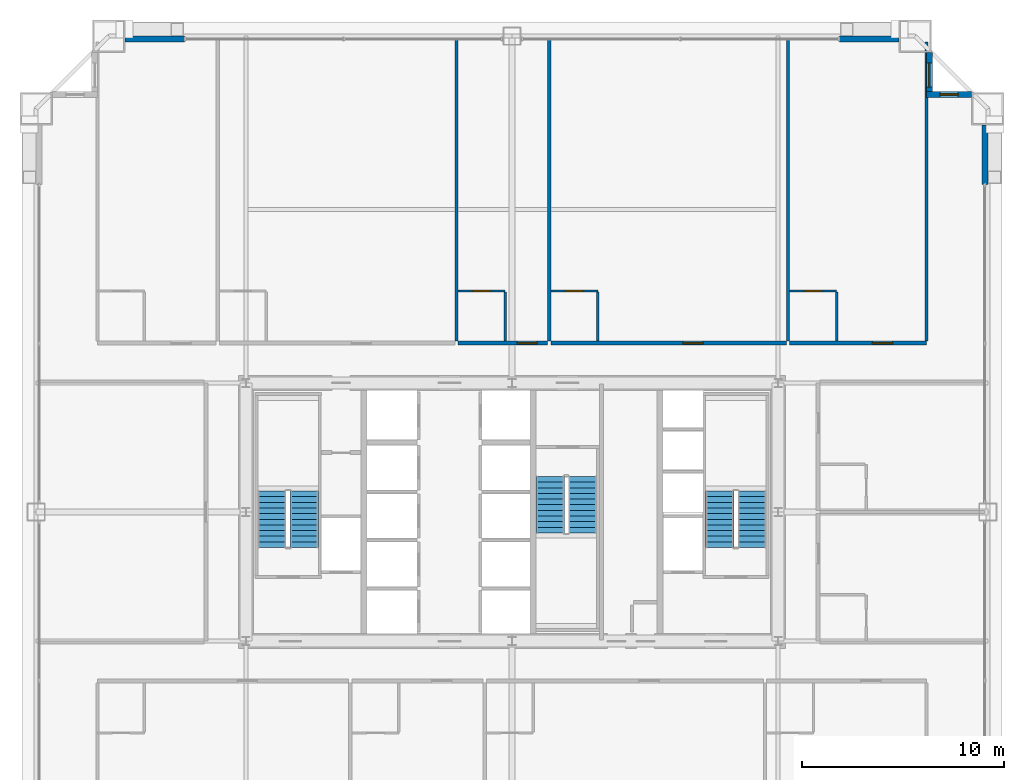
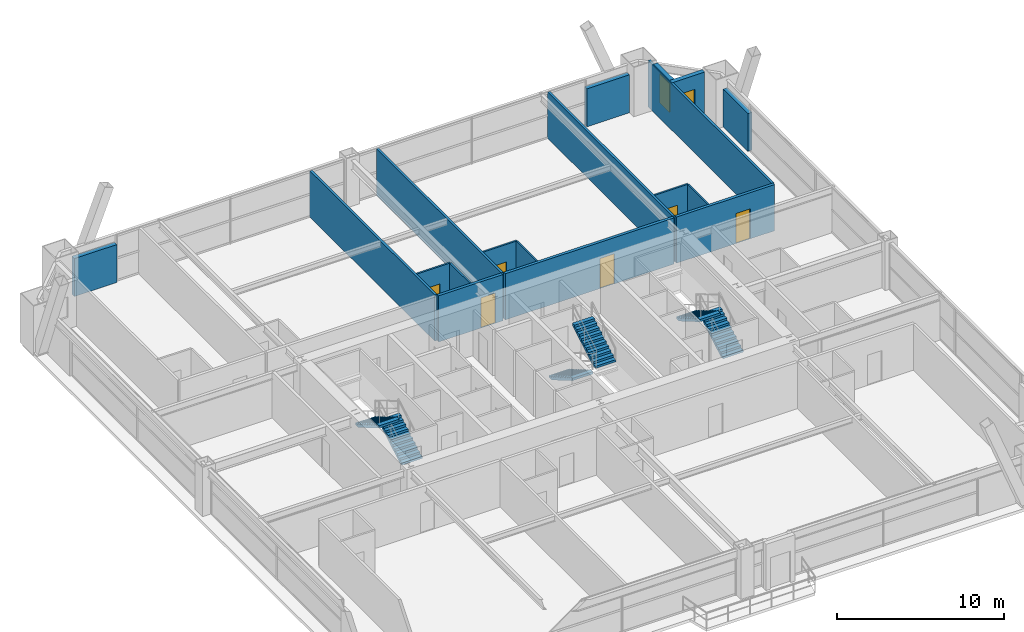
# One storey, part 40 of 41: 18 walls, 6 doors, 6 stair flights, 2 windows, 8 openings, 3 elements without a shape of their own.
"""IFC4 building model written with IfcOpenShell, lengths in metres."""

from ifc_helpers import new_model, si_unit, direction, frame, frame_2d, origin, place, context, subcontext, project, spatial, polyline, rectangle, outline, extrude, source, transform, mapped, material, layer, layer_set, type_object, element, fill, aggregate, save


model = new_model("IFC4")

# Units and contexts
model_context = context("Model", 3, precision=1e-05, world=origin(), true_north=direction((0.0, 1.0)))
body_context = subcontext(model_context, "Body", "Model", "MODEL_VIEW")
ifc_project = project(units=[si_unit("LENGTHUNIT", "METRE"), si_unit("AREAUNIT", "SQUARE_METRE"), si_unit("VOLUMEUNIT", "CUBIC_METRE"), si_unit("PLANEANGLEUNIT", "RADIAN"), si_unit("MASSUNIT", "GRAM", prefix="KILO"), si_unit("THERMODYNAMICTEMPERATUREUNIT", "KELVIN"), si_unit("POWERUNIT", "WATT")], contexts=[model_context])

# Site, building, storey
site_placement = place(None, origin())
site = spatial("IfcSite", under=ifc_project, at=site_placement, CompositionType="ELEMENT")
building_placement = place(site_placement, origin())
building = spatial("IfcBuilding", under=site, at=building_placement, Name="Yuzanri Waterfront Tower", CompositionType="ELEMENT")
storey_placement = place(building_placement, frame((0.0, 0.0, 122.60009765625)))
storey = spatial("IfcBuildingStorey", under=building, at=storey_placement, Name="L32", CompositionType="ELEMENT", Elevation=122.60009765625)

# Wall, opening, door
ifc_material_1 = material(Name="Moisture-Resistant Gypsum Stud Wall", Category="gypsum")
ifc_layer_1 = layer(ifc_material_1, 0.1201171875)
ifc_layer_set_1 = layer_set([ifc_layer_1], Name="Moisture-Resistant Gypsum Stud Wall")
wall_type_1 = type_object("IfcWallType", Name="Bathroom and Kitchen Wet Partition 120", PredefinedType="PARTITIONING", material=ifc_layer_set_1)
wall_1_placement = place(storey_placement, frame((34.324951171875, 36.760009765625, 0.0), z_axis=(0.0, 0.0, 1.0), x_axis=(1.0, 0.0, 0.0)))
wall_1 = element("IfcWall", 1, at=wall_1_placement, inside=storey, type_object=wall_type_1, Name="L32 Partition UW-L32-N3-BN", PredefinedType="PARTITIONING", context=body_context, shape_type="SweptSolid", body=[
    extrude(rectangle(XDim=2.330078125, YDim=0.1201171875, at=frame_2d((1.1650390625, 0.0))), origin(), (0.0, 0.0, 1.0), 3.3798828125),
])
opening_1_placement = place(wall_1_placement, frame((0.739990234375, 0.0, 0.0)))
opening_1 = element("IfcOpeningElement", 2, at=opening_1_placement, cuts=wall_1, Name="Opening ID-0850", PredefinedType="OPENING", context=body_context, shape_type="SweptSolid", body=[
    extrude(rectangle(XDim=0.85009765625, YDim=2.10009765625, at=frame_2d((0.425048828125, 1.050048828125))), frame((0.0, 0.074951171875, 0.0), z_axis=(0.0, -1.0, 0.0), x_axis=(1.0, 0.0, 0.0)), (0.0, 0.0, 1.0), 0.14990234375),
])
ifc_material_2 = material(Name="Moisture-Resistant Lacquered Timber", Category="wood")
door_type_1 = type_object("IfcDoorType", Name="En-Suite Bathroom and Kitchen Swing Door 850x2100", OperationType="NOTDEFINED", PredefinedType="DOOR", material=ifc_material_2)
shared_shape_1 = source(origin(), body_context, "Body", "SweptSolid", [
    extrude(rectangle(XDim=0.85009765625, YDim=2.10009765625, at=frame_2d((0.425048828125, 1.050048828125))), frame((0.0, 0.02490234375, 0.0), z_axis=(0.0, -1.0, 0.0), x_axis=(1.0, 0.0, 0.0)), (0.0, 0.0, 1.0), 0.050048828125),
])
door_1_placement = place(opening_1_placement, origin())
door_1 = element("IfcDoor", 3, at=door_1_placement, inside=storey, type_object=door_type_1, Name="L32 Guest En-Suite Door", OperationType="SINGLE_SWING_RIGHT", OverallHeight=2.10009765625, OverallWidth=0.85009765625, PredefinedType="DOOR", context=body_context, shape_type="MappedRepresentation", body=[
    mapped(shared_shape_1, transform((0.0, 0.0, 0.0), scale=1.0)),
])
fill(opening_1, door_1)

wall_2_placement = place(storey_placement, frame((38.929931640625, 36.760009765625, 0.0), z_axis=(0.0, 0.0, 1.0), x_axis=(1.0, 0.0, 0.0)))
wall_2 = element("IfcWall", 4, at=wall_2_placement, inside=storey, type_object=wall_type_1, Name="L32 Partition UW-L32-N4-BN", PredefinedType="PARTITIONING", context=body_context, shape_type="SweptSolid", body=[
    extrude(rectangle(XDim=2.330078125, YDim=0.1201171875, at=frame_2d((1.1650390625, 0.0))), origin(), (0.0, 0.0, 1.0), 3.3798828125),
])
opening_2_placement = place(wall_2_placement, frame((0.739990234375, 0.0, 0.0)))
opening_2 = element("IfcOpeningElement", 5, at=opening_2_placement, cuts=wall_2, Name="Opening ID-0850", PredefinedType="OPENING", context=body_context, shape_type="SweptSolid", body=[
    extrude(rectangle(XDim=0.85009765625, YDim=2.10009765625, at=frame_2d((0.425048828125, 1.050048828125))), frame((0.0, 0.074951171875, 0.0), z_axis=(0.0, -1.0, 0.0), x_axis=(1.0, 0.0, 0.0)), (0.0, 0.0, 1.0), 0.14990234375),
])
door_2_placement = place(opening_2_placement, origin())
door_2 = element("IfcDoor", 6, at=door_2_placement, inside=storey, type_object=door_type_1, Name="L32 Guest En-Suite Door", OperationType="SINGLE_SWING_RIGHT", OverallHeight=2.10009765625, OverallWidth=0.85009765625, PredefinedType="DOOR", context=body_context, shape_type="MappedRepresentation", body=[
    mapped(shared_shape_1, transform((0.0, 0.0, 0.0), scale=1.0)),
])
fill(opening_2, door_2)

wall_3_placement = place(storey_placement, frame((50.77294921875, 36.760009765625, 0.0), z_axis=(0.0, 0.0, 1.0), x_axis=(1.0, 0.0, 0.0)))
wall_3 = element("IfcWall", 7, at=wall_3_placement, inside=storey, type_object=wall_type_1, Name="L32 Partition UW-L32-N5-BN", PredefinedType="PARTITIONING", context=body_context, shape_type="SweptSolid", body=[
    extrude(rectangle(XDim=2.330078125, YDim=0.1201171875, at=frame_2d((1.1650390625, 0.0))), origin(), (0.0, 0.0, 1.0), 3.3798828125),
])
opening_3_placement = place(wall_3_placement, frame((0.739990234375, 0.0, 0.0)))
opening_3 = element("IfcOpeningElement", 8, at=opening_3_placement, cuts=wall_3, Name="Opening ID-0850", PredefinedType="OPENING", context=body_context, shape_type="SweptSolid", body=[
    extrude(rectangle(XDim=0.85009765625, YDim=2.10009765625, at=frame_2d((0.425048828125, 1.050048828125))), frame((0.0, 0.074951171875, 0.0), z_axis=(0.0, -1.0, 0.0), x_axis=(1.0, 0.0, 0.0)), (0.0, 0.0, 1.0), 0.14990234375),
])
door_3_placement = place(opening_3_placement, origin())
door_3 = element("IfcDoor", 9, at=door_3_placement, inside=storey, type_object=door_type_1, Name="L32 Guest En-Suite Door", OperationType="SINGLE_SWING_RIGHT", OverallHeight=2.10009765625, OverallWidth=0.85009765625, PredefinedType="DOOR", context=body_context, shape_type="MappedRepresentation", body=[
    mapped(shared_shape_1, transform((0.0, 0.0, 0.0), scale=1.0)),
])
fill(opening_3, door_3)

# Wall, opening, window
ifc_material_3 = material(Name="Honed Chongqing Dark Basalt Stone", Category="masonry")
ifc_layer_2 = layer(ifc_material_3, 0.300048828125)
ifc_layer_set_2 = layer_set([ifc_layer_2], Name="Honed Chongqing Dark Basalt Stone")
wall_type_2 = type_object("IfcWallType", Name="Bronze Rainscreen Insulated Spandrel Portal Wall 300", PredefinedType="SOLIDWALL", material=ifc_layer_set_2)
wall_4_placement = place(storey_placement, frame((59.800048828125, 46.5, 0.0), z_axis=(0.0, 0.0, 1.0), x_axis=(-1.0, 0.0, 0.0)))
wall_4 = element("IfcWall", 10, at=wall_4_placement, inside=storey, type_object=wall_type_2, Name="L32 Notched Corner Masonry Wall NE-X", PredefinedType="SOLIDWALL", context=body_context, shape_type="SweptSolid", body=[
    extrude(rectangle(XDim=2.25, YDim=0.300048828125, at=frame_2d((1.125, 0.0))), origin(), (0.0, 0.0, 1.0), 3.3798828125),
])
opening_4_placement = place(wall_4_placement, frame((0.675048828125, 0.0, 0.85009765625)))
opening_4 = element("IfcOpeningElement", 11, at=opening_4_placement, cuts=wall_4, Name="Opening WN-05", PredefinedType="OPENING", context=body_context, shape_type="SweptSolid", body=[
    extrude(rectangle(XDim=0.89990234375, YDim=1.5, at=frame_2d((0.449951171875, 0.75))), frame((0.0, 0.1650390625, 0.0), z_axis=(0.0, -1.0, 0.0), x_axis=(1.0, 0.0, 0.0)), (0.0, 0.0, 1.0), 0.329833984375),
])
ifc_material_4 = material(Name="Double-Silver Low-E Insulated Glass", Category="glass")
window_type_1 = type_object("IfcWindowType", Name="Anodized Bronze Service and Stairwell Smoke-Vent Window 900x1500", PartitioningType="SINGLE_PANEL", PredefinedType="WINDOW", material=ifc_material_4)
shared_shape_2 = source(origin(), body_context, "Body", "SweptSolid", [
    extrude(rectangle(XDim=0.89990234375, YDim=1.5, at=frame_2d((0.449951171875, 0.75))), frame((0.0, 0.030029296875, 0.0), z_axis=(0.0, -1.0, 0.0), x_axis=(1.0, 0.0, 0.0)), (0.0, 0.0, 1.0), 0.06005859375),
])
window_1_placement = place(opening_4_placement, origin())
window_1 = element("IfcWindow", 12, at=window_1_placement, inside=storey, type_object=window_type_1, Name="L32 Notched Corner Window NE-X", OverallHeight=1.5, OverallWidth=0.89990234375, PartitioningType="SINGLE_PANEL", PredefinedType="WINDOW", context=body_context, shape_type="MappedRepresentation", body=[
    mapped(shared_shape_2, transform((0.0, 0.0, 0.0), scale=1.0)),
])
fill(opening_4, window_1)

wall_5_placement = place(storey_placement, frame((57.699951171875, 46.35009765625, 0.0), z_axis=(0.0, 0.0, 1.0), x_axis=(0.0, 1.0, 0.0)))
wall_5 = element("IfcWall", 13, at=wall_5_placement, inside=storey, type_object=wall_type_2, Name="L32 Notched Corner Masonry Wall NE-Y", PredefinedType="SOLIDWALL", context=body_context, shape_type="SweptSolid", body=[
    extrude(rectangle(XDim=2.25, YDim=0.300048828125, at=frame_2d((1.125, 0.0))), origin(), (0.0, 0.0, 1.0), 3.3798828125),
])
opening_5_placement = place(wall_5_placement, frame((0.52490234375, 0.0, 0.85009765625)))
opening_5 = element("IfcOpeningElement", 14, at=opening_5_placement, cuts=wall_5, Name="Opening WN-02", PredefinedType="OPENING", context=body_context, shape_type="SweptSolid", body=[
    extrude(rectangle(XDim=1.199951171875, YDim=2.10009765625, at=frame_2d((0.60009765625, 1.050048828125))), frame((0.0, 0.1650390625, 0.0), z_axis=(0.0, -1.0, 0.0), x_axis=(1.0, 0.0, 0.0)), (0.0, 0.0, 1.0), 0.329833984375),
])
ifc_material_5 = material(Name="Double-Silver Low-E Insulated Glass", Category="glass")
window_type_2 = type_object("IfcWindowType", Name="Anodized Bronze Notched Corner Deep-Set Slot Window 1200x2100", PartitioningType="SINGLE_PANEL", PredefinedType="WINDOW", material=ifc_material_5)
shared_shape_3 = source(origin(), body_context, "Body", "SweptSolid", [
    extrude(rectangle(XDim=1.199951171875, YDim=2.10009765625, at=frame_2d((0.60009765625, 1.050048828125))), frame((0.0, 0.030029296875, 0.0), z_axis=(0.0, -1.0, 0.0), x_axis=(1.0, 0.0, 0.0)), (0.0, 0.0, 1.0), 0.06005859375),
])
window_2_placement = place(opening_5_placement, origin())
window_2 = element("IfcWindow", 15, at=window_2_placement, inside=storey, type_object=window_type_2, Name="L32 Notched Corner Window NE-Y", OverallHeight=2.10009765625, OverallWidth=1.199951171875, PartitioningType="SINGLE_PANEL", PredefinedType="WINDOW", context=body_context, shape_type="MappedRepresentation", body=[
    mapped(shared_shape_3, transform((0.0, 0.0, 0.0), scale=1.0)),
])
fill(opening_5, window_2)

# Wall, opening, door
ifc_material_6 = material(Name="Autoclaved Aerated Concrete Blockwork", Category="masonry")
ifc_layer_3 = layer(ifc_material_6, 0.199951171875)
ifc_layer_set_3 = layer_set([ifc_layer_3], Name="Autoclaved Aerated Concrete Blockwork")
wall_type_3 = type_object("IfcWallType", Name="Corridor and Unit Party Fire Wall 200", PredefinedType="PARTITIONING", material=ifc_layer_set_3)
wall_6_placement = place(storey_placement, frame((34.324951171875, 34.179931640625, 0.0), z_axis=(0.0, 0.0, 1.0), x_axis=(1.0, 0.0, 0.0)))
wall_6 = element("IfcWall", 16, at=wall_6_placement, inside=storey, type_object=wall_type_3, Name="L32 Partition UW-L32-N3-CS", PredefinedType="PARTITIONING", context=body_context, shape_type="SweptSolid", body=[
    extrude(rectangle(XDim=4.445068359375, YDim=0.199951171875, at=frame_2d((2.22265625, 0.0))), origin(), (0.0, 0.0, 1.0), 3.3798828125),
])
opening_6_placement = place(wall_6_placement, frame((2.927001953125, 0.0, 0.0)))
opening_6 = element("IfcOpeningElement", 17, at=opening_6_placement, cuts=wall_6, Name="Opening FD-1000", PredefinedType="OPENING", context=body_context, shape_type="SweptSolid", body=[
    extrude(rectangle(XDim=1.0, YDim=2.199951171875, at=frame_2d((0.5, 1.10009765625))), frame((0.0, 0.11474609375, 0.0), z_axis=(0.0, -1.0, 0.0), x_axis=(1.0, 0.0, 0.0)), (0.0, 0.0, 1.0), 0.229736328125),
])
ifc_material_7 = material(Name="Engineered Oak Fire-Rated Timber", Category="wood")
door_type_2 = type_object("IfcDoorType", Name="Guestroom and Apartment Entrance Fire Door 1000x2200", OperationType="NOTDEFINED", PredefinedType="DOOR", material=ifc_material_7)
shared_shape_4 = source(origin(), body_context, "Body", "SweptSolid", [
    extrude(rectangle(XDim=1.0, YDim=2.199951171875, at=frame_2d((0.5, 1.10009765625))), frame((0.0, 0.02490234375, 0.0), z_axis=(0.0, -1.0, 0.0), x_axis=(1.0, 0.0, 0.0)), (0.0, 0.0, 1.0), 0.050048828125),
])
door_4_placement = place(opening_6_placement, origin())
door_4 = element("IfcDoor", 18, at=door_4_placement, inside=storey, type_object=door_type_2, Name="L32 Superior Twin Guest Room Entrance Door", OperationType="SINGLE_SWING_LEFT", OverallHeight=2.199951171875, OverallWidth=1.0, PredefinedType="DOOR", context=body_context, shape_type="MappedRepresentation", body=[
    mapped(shared_shape_4, transform((0.0, 0.0, 0.0), scale=1.0)),
])
fill(opening_6, door_4)

wall_7_placement = place(storey_placement, frame((38.929931640625, 34.179931640625, 0.0), z_axis=(0.0, 0.0, 1.0), x_axis=(1.0, 0.0, 0.0)))
wall_7 = element("IfcWall", 19, at=wall_7_placement, inside=storey, type_object=wall_type_3, Name="L32 Partition UW-L32-N4-CS", PredefinedType="PARTITIONING", context=body_context, shape_type="SweptSolid", body=[
    extrude(rectangle(XDim=11.68310546875, YDim=0.199951171875, at=frame_2d((5.841552734375, 0.0))), origin(), (0.0, 0.0, 1.0), 3.3798828125),
])
opening_7_placement = place(wall_7_placement, frame((6.547119140625, 0.0, 0.0)))
opening_7 = element("IfcOpeningElement", 20, at=opening_7_placement, cuts=wall_7, Name="Opening FD-1000", PredefinedType="OPENING", context=body_context, shape_type="SweptSolid", body=[
    extrude(rectangle(XDim=1.0, YDim=2.199951171875, at=frame_2d((0.5, 1.10009765625))), frame((0.0, 0.11474609375, 0.0), z_axis=(0.0, -1.0, 0.0), x_axis=(1.0, 0.0, 0.0)), (0.0, 0.0, 1.0), 0.229736328125),
])
door_5_placement = place(opening_7_placement, origin())
door_5 = element("IfcDoor", 21, at=door_5_placement, inside=storey, type_object=door_type_2, Name="L32 Superior Twin Junior Suite Entrance Door", OperationType="SINGLE_SWING_LEFT", OverallHeight=2.199951171875, OverallWidth=1.0, PredefinedType="DOOR", context=body_context, shape_type="MappedRepresentation", body=[
    mapped(shared_shape_4, transform((0.0, 0.0, 0.0), scale=1.0)),
])
fill(opening_7, door_5)

wall_8_placement = place(storey_placement, frame((50.77294921875, 34.179931640625, 0.0), z_axis=(0.0, 0.0, 1.0), x_axis=(1.0, 0.0, 0.0)))
wall_8 = element("IfcWall", 22, at=wall_8_placement, inside=storey, type_object=wall_type_3, Name="L32 Partition UW-L32-N5-CS", PredefinedType="PARTITIONING", context=body_context, shape_type="SweptSolid", body=[
    extrude(rectangle(XDim=6.787109375, YDim=0.199951171875, at=frame_2d((3.3935546875, 0.0))), origin(), (0.0, 0.0, 1.0), 3.3798828125),
])
opening_8_placement = place(wall_8_placement, frame((4.097900390625, 0.0, 0.0)))
opening_8 = element("IfcOpeningElement", 23, at=opening_8_placement, cuts=wall_8, Name="Opening FD-1000", PredefinedType="OPENING", context=body_context, shape_type="SweptSolid", body=[
    extrude(rectangle(XDim=1.0, YDim=2.199951171875, at=frame_2d((0.5, 1.10009765625))), frame((0.0, 0.11474609375, 0.0), z_axis=(0.0, -1.0, 0.0), x_axis=(1.0, 0.0, 0.0)), (0.0, 0.0, 1.0), 0.229736328125),
])
door_6_placement = place(opening_8_placement, origin())
door_6 = element("IfcDoor", 24, at=door_6_placement, inside=storey, type_object=door_type_2, Name="L32 Superior Twin Junior Suite Entrance Door", OperationType="SINGLE_SWING_LEFT", OverallHeight=2.199951171875, OverallWidth=1.0, PredefinedType="DOOR", context=body_context, shape_type="MappedRepresentation", body=[
    mapped(shared_shape_4, transform((0.0, 0.0, 0.0), scale=1.0)),
])
fill(opening_8, door_6)

# Walls
shared_shape_5 = source(origin(), body_context, "Body", "SweptSolid", [
    extrude(rectangle(XDim=2.949951171875, YDim=0.300048828125, at=frame_2d((1.47509765625, 0.0))), origin(), (0.0, 0.0, 1.0), 2.77490234375),
])
for number, where, z_axis, x_axis, name in (
    (25, (17.800048828125, 49.25, 0.0), (0.0, 0.0, 1.0), (1.0, 0.0, 0.0), "L32 N Left Braced Masonry Shoulder"),
    (26, (53.25, 49.25, 0.0), (0.0, 0.0, 1.0), (1.0, 0.0, 0.0), "L32 N Right Braced Masonry Shoulder"),
    (27, (60.449951171875, 42.050048828125, 0.0), (0.0, 0.0, 1.0), (0.0, 1.0, 0.0), "L32 E Right Braced Masonry Shoulder"),
):
    element("IfcWall", number, at=place(storey_placement, frame(where, z_axis=z_axis, x_axis=x_axis)), inside=storey, type_object=wall_type_2, Name=name, PredefinedType="SOLIDWALL", context=body_context, shape_type="MappedRepresentation", body=[
        mapped(shared_shape_5, transform((0.0, 0.0, 0.0), scale=1.0)),
    ])
shared_shape_6 = source(origin(), body_context, "Body", "SweptSolid", [
    extrude(rectangle(XDim=2.419921875, YDim=0.1201171875, at=frame_2d((1.2099609375, 0.0))), origin(), (0.0, 0.0, 1.0), 3.3798828125),
])
for number, where, z_axis, x_axis, name in (
    (28, (36.655029296875, 34.280029296875, 0.0), (0.0, 0.0, 1.0), (0.0, 1.0, 0.0), "L32-N3 En-Suite Side Wall"),
    (29, (41.260009765625, 34.280029296875, 0.0), (0.0, 0.0, 1.0), (0.0, 1.0, 0.0), "L32-N4 En-Suite Side Wall"),
    (30, (53.10302734375, 34.280029296875, 0.0), (0.0, 0.0, 1.0), (0.0, 1.0, 0.0), "L32-N5 En-Suite Side Wall"),
):
    element("IfcWall", number, at=place(storey_placement, frame(where, z_axis=z_axis, x_axis=x_axis)), inside=storey, type_object=wall_type_1, Name=name, PredefinedType="PARTITIONING", context=body_context, shape_type="MappedRepresentation", body=[
        mapped(shared_shape_6, transform((0.0, 0.0, 0.0), scale=1.0)),
    ])
ifc_material_8 = material(Name="Gypsum Fireboard Acoustic Stud Wall", Category="gypsum")
ifc_layer_4 = layer(ifc_material_8, 0.159912109375)
ifc_layer_set_4 = layer_set([ifc_layer_4], Name="Gypsum Fireboard Acoustic Stud Wall")
wall_type_4 = type_object("IfcWallType", Name="Acoustic Suite Demising Partition 160", PredefinedType="PARTITIONING", material=ifc_layer_set_4)
shared_shape_7 = source(origin(), body_context, "Body", "SweptSolid", [
    extrude(rectangle(XDim=14.969970703125, YDim=0.159912109375, at=frame_2d((7.48486328125, 0.0))), origin(), (0.0, 0.0, 1.0), 3.3798828125),
])
for number, where, z_axis, x_axis, name in (
    (31, (34.2451171875, 34.280029296875, 0.0), (0.0, 0.0, 1.0), (0.0, 1.0, 0.0), "L32-N2 Party Wall"),
    (32, (38.85009765625, 34.280029296875, 0.0), (0.0, 0.0, 1.0), (0.0, 1.0, 0.0), "L32-N3 Party Wall"),
    (33, (50.693115234375, 34.280029296875, 0.0), (0.0, 0.0, 1.0), (0.0, 1.0, 0.0), "L32-N4 Party Wall"),
):
    element("IfcWall", number, at=place(storey_placement, frame(where, z_axis=z_axis, x_axis=x_axis)), inside=storey, type_object=wall_type_4, Name=name, PredefinedType="PARTITIONING", context=body_context, shape_type="MappedRepresentation", body=[
        mapped(shared_shape_7, transform((0.0, 0.0, 0.0), scale=1.0)),
    ])
shared_shape_8 = source(origin(), body_context, "Body", "SweptSolid", [
    extrude(rectangle(XDim=14.820068359375, YDim=0.159912109375, at=frame_2d((7.41015625, 0.0))), origin(), (0.0, 0.0, 1.0), 3.3798828125),
])
wall_9_placement = place(storey_placement, frame((57.550048828125, 34.280029296875, 0.0), z_axis=(0.0, 0.0, 1.0), x_axis=(0.0, 1.0, 0.0)))
element("IfcWall", 34, at=wall_9_placement, inside=storey, type_object=wall_type_4, Name="L32 North Band East End Wall", PredefinedType="PARTITIONING", context=body_context, shape_type="MappedRepresentation", body=[
    mapped(shared_shape_8, transform((0.0, 0.0, 0.0), scale=1.0)),
])

# Stair, stair flights
ifc_material_9 = material(Name="Concrete C40", Category="concrete")
stair_type = type_object("IfcStairType", Name="Concrete C40 Core Dogleg Exit Stair", PredefinedType="HALF_TURN_STAIR", material=ifc_material_9)
stair_1_placement = place(storey_placement, origin())
stair_1 = element("IfcStair", 35, at=stair_1_placement, inside=storey, type_object=stair_type, Name="L32 Smoke-Proof Core Stair ST-01", PredefinedType="HALF_TURN_STAIR")
ifc_material_10 = material(Name="Concrete C40", Category="concrete")
stair_flight_type = type_object("IfcStairFlightType", Name="Concrete C40 Precast Stair Flight 1380", PredefinedType="STRAIGHT", material=ifc_material_10)
shared_shape_9 = source(origin(), body_context, "Body", "SweptSolid", [
    extrude(outline(polyline([(0.0, 0.0), (0.0, 0.16357421875), (0.280029296875, 0.16357421875), (0.280029296875, 0.327392578125), (0.56005859375, 0.327392578125), (0.56005859375, 0.490966796875), (0.840087890625, 0.490966796875), (0.840087890625, 0.654541015625), (1.1201171875, 0.654541015625), (1.1201171875, 0.818115234375), (1.39990234375, 0.818115234375), (1.39990234375, 0.98193359375), (1.679931640625, 0.98193359375), (1.679931640625, 1.1455078125), (1.9599609375, 1.1455078125), (1.9599609375, 1.30908203125), (2.239990234375, 1.30908203125), (2.239990234375, 1.47265625), (2.52001953125, 1.47265625), (2.52001953125, 1.636474609375), (2.800048828125, 1.636474609375), (2.800048828125, 1.800048828125), (2.800048828125, 1.462646484375), (0.297119140625, 0.0), (0.0, 0.0)])), frame((0.0, 0.699951171875, 0.0), z_axis=(0.0, -1.0, 0.0), x_axis=(1.0, 0.0, 0.0)), (0.0, 0.0, 1.0), 1.39990234375),
])
stair_flight_1_placement = place(storey_placement, frame((26.699951171875, 24.0400390625, 0.0), z_axis=(0.0, 0.0, 1.0), x_axis=(0.0, 1.0, 0.0)))
stair_flight_1 = element("IfcStairFlight", 36, at=stair_flight_1_placement, type_object=stair_flight_type, Name="ST-01 flight 1", NumberOfRisers=11, NumberOfTreads=10, PredefinedType="STRAIGHT", RiserHeight=0.163636364, TreadLength=0.28, context=body_context, shape_type="MappedRepresentation", body=[
    mapped(shared_shape_9, transform((0.0, 0.0, 0.0), scale=1.0)),
])
stair_flight_2_placement = place(storey_placement, frame((25.10009765625, 26.840087890625, 1.7998046875), z_axis=(0.0, 0.0, 1.0), x_axis=(0.0, -1.0, 0.0)))
stair_flight_2 = element("IfcStairFlight", 37, at=stair_flight_2_placement, type_object=stair_flight_type, Name="ST-01 flight 2", NumberOfRisers=11, NumberOfTreads=10, PredefinedType="STRAIGHT", RiserHeight=0.163636364, TreadLength=0.28, context=body_context, shape_type="MappedRepresentation", body=[
    mapped(shared_shape_9, transform((0.0, 0.0, 0.0), scale=1.0)),
])
aggregate(stair_1, [stair_flight_1, stair_flight_2])

stair_2_placement = place(storey_placement, origin())
stair_2 = element("IfcStair", 38, at=stair_2_placement, inside=storey, type_object=stair_type, Name="L32 Smoke-Proof Core Stair ST-02", PredefinedType="HALF_TURN_STAIR")
stair_flight_3_placement = place(storey_placement, frame((48.89990234375, 24.0400390625, 0.0), z_axis=(0.0, 0.0, 1.0), x_axis=(0.0, 1.0, 0.0)))
stair_flight_3 = element("IfcStairFlight", 39, at=stair_flight_3_placement, type_object=stair_flight_type, Name="ST-02 flight 1", NumberOfRisers=11, NumberOfTreads=10, PredefinedType="STRAIGHT", RiserHeight=0.163636364, TreadLength=0.28, context=body_context, shape_type="MappedRepresentation", body=[
    mapped(shared_shape_9, transform((0.0, 0.0, 0.0), scale=1.0)),
])
stair_flight_4_placement = place(storey_placement, frame((47.300048828125, 26.840087890625, 1.7998046875), z_axis=(0.0, 0.0, 1.0), x_axis=(0.0, -1.0, 0.0)))
stair_flight_4 = element("IfcStairFlight", 40, at=stair_flight_4_placement, type_object=stair_flight_type, Name="ST-02 flight 2", NumberOfRisers=11, NumberOfTreads=10, PredefinedType="STRAIGHT", RiserHeight=0.163636364, TreadLength=0.28, context=body_context, shape_type="MappedRepresentation", body=[
    mapped(shared_shape_9, transform((0.0, 0.0, 0.0), scale=1.0)),
])
aggregate(stair_2, [stair_flight_3, stair_flight_4])

stair_3_placement = place(storey_placement, origin())
stair_3 = element("IfcStair", 41, at=stair_3_placement, inside=storey, type_object=stair_type, Name="L32 Smoke-Proof Core Stair ST-03", PredefinedType="HALF_TURN_STAIR")
stair_flight_5_placement = place(storey_placement, frame((38.89990234375, 27.56005859375, 0.0), z_axis=(0.0, 0.0, 1.0), x_axis=(0.0, -1.0, 0.0)))
stair_flight_5 = element("IfcStairFlight", 42, at=stair_flight_5_placement, type_object=stair_flight_type, Name="ST-03 flight 1", NumberOfRisers=11, NumberOfTreads=10, PredefinedType="STRAIGHT", RiserHeight=0.163636364, TreadLength=0.28, context=body_context, shape_type="MappedRepresentation", body=[
    mapped(shared_shape_9, transform((0.0, 0.0, 0.0), scale=1.0)),
])
stair_flight_6_placement = place(storey_placement, frame((40.5, 24.760009765625, 1.7998046875), z_axis=(0.0, 0.0, 1.0), x_axis=(0.0, 1.0, 0.0)))
stair_flight_6 = element("IfcStairFlight", 43, at=stair_flight_6_placement, type_object=stair_flight_type, Name="ST-03 flight 2", NumberOfRisers=11, NumberOfTreads=10, PredefinedType="STRAIGHT", RiserHeight=0.163636364, TreadLength=0.28, context=body_context, shape_type="MappedRepresentation", body=[
    mapped(shared_shape_9, transform((0.0, 0.0, 0.0), scale=1.0)),
])
aggregate(stair_3, [stair_flight_5, stair_flight_6])

save(model, "model.ifc")
